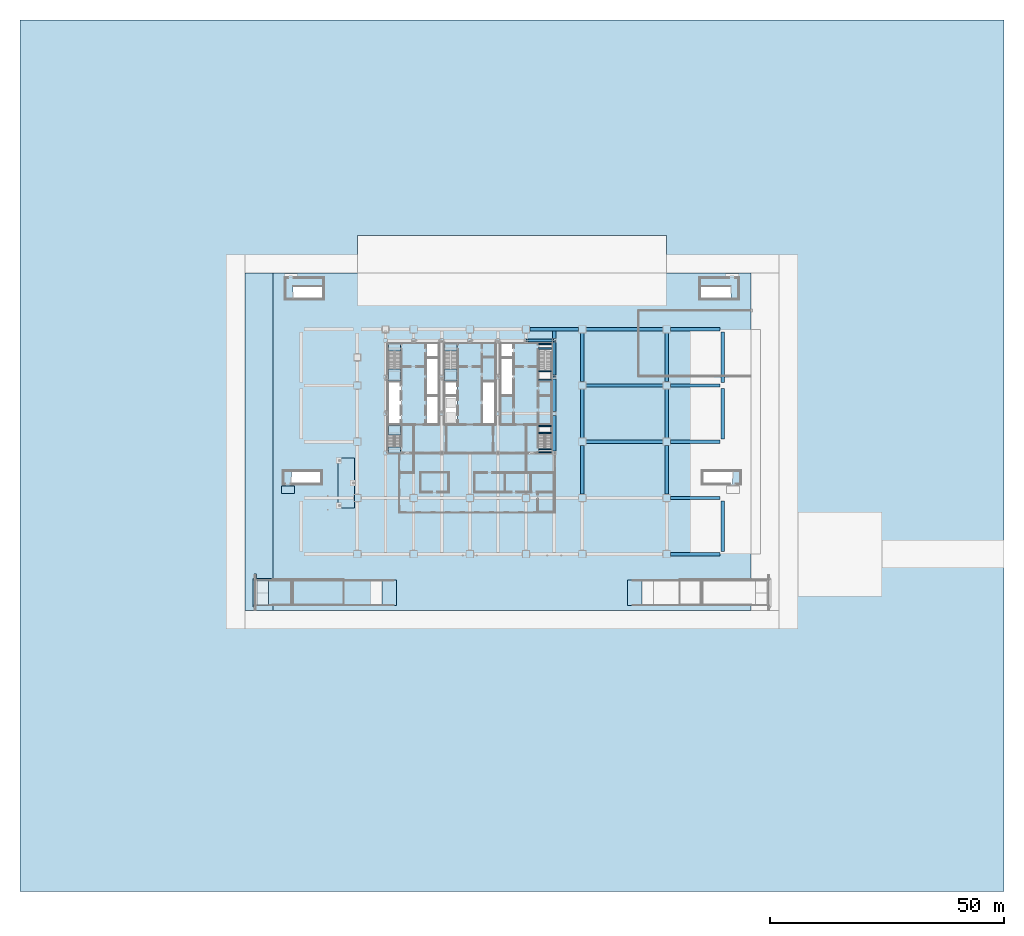
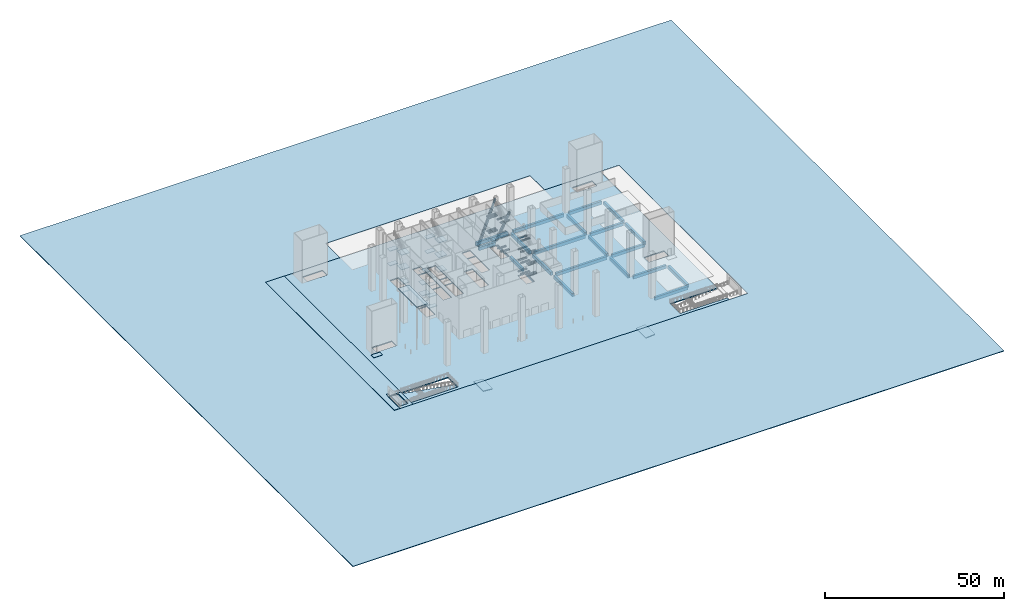
# One storey, part 4 of 22: 47 beams, 27 slabs, 2 members, 5 elements without a shape of their own.
"""IFC4 building model written with IfcOpenShell, lengths in metres."""

from ifc_helpers import new_model, si_unit, direction, frame, origin, origin_2d, place, context, subcontext, project, spatial, polyline, rectangle, hollow_rectangle, outline, extrude, material, layer, layer_set, material_profile, profile_set, type_object, element, aggregate, save


model = new_model("IFC4")

# Units and contexts
model_context = context("Model", 3, precision=1e-05, world=origin(), true_north=direction((0.0, 1.0)))
body_context = subcontext(model_context, "Body", "Model", "MODEL_VIEW")
ifc_project = project(units=[si_unit("LENGTHUNIT", "METRE"), si_unit("AREAUNIT", "SQUARE_METRE"), si_unit("VOLUMEUNIT", "CUBIC_METRE"), si_unit("PLANEANGLEUNIT", "RADIAN"), si_unit("MASSUNIT", "GRAM", prefix="KILO")], contexts=[model_context])

# Site, building, storey
site_placement = place(None, origin())
site = spatial("IfcSite", under=ifc_project, at=site_placement, CompositionType="ELEMENT")
building_placement = place(site_placement, origin())
building = spatial("IfcBuilding", under=site, at=building_placement, Name="Sorahane Residences", CompositionType="ELEMENT")
storey_placement = place(building_placement, origin())
storey = spatial("IfcBuildingStorey", under=building, at=storey_placement, Name="L00", CompositionType="ELEMENT", Elevation=0.0)

# Members
ifc_material_1 = material(Name="Steel Q355B", Category="steel")
ifc_material_profile_1 = material_profile(ifc_material_1, hollow_rectangle(XDim=0.5, YDim=0.5, WallThickness=0.02490234375, InnerFilletRadius=0.012451171875, OuterFilletRadius=0.03759765625, at=origin_2d()), Name="RHS 500x500x25")
ifc_profile_set_1 = profile_set([ifc_material_profile_1], Name="Steel Q355B")
member_type = type_object("IfcMemberType", Name="Core brace RHS 500x500x25 Q355B", PredefinedType="BRACE", material=ifc_profile_set_1)
member_1_placement = place(storey_placement, frame((36.224853515625, 45.60009765625, -0.2080078125), z_axis=(0.357138272486, 0.0, 0.93405152659), x_axis=(0.0, 1.0, 0.0)))
element("IfcMember", 1, at=member_1_placement, inside=storey, type_object=member_type, Name="Core brace L00 y45.6-6", PredefinedType="BRACE", context=body_context, shape_type="SweptSolid", body=[
    extrude(hollow_rectangle(XDim=0.5, YDim=0.5, WallThickness=0.02490234375, InnerFilletRadius=0.012451171875, OuterFilletRadius=0.03759765625, at=origin_2d()), origin(), (0.0, 0.0, 1.0), 15.541015625),
])
member_2_placement = place(storey_placement, frame((42.0, 45.36669921875, -0.073974609375), z_axis=(0.0, -0.457646797242, 0.889134078176), x_axis=(1.0, 0.0, 0.0)))
element("IfcMember", 2, at=member_2_placement, inside=storey, type_object=member_type, Name="Core brace L00 x42-3", PredefinedType="BRACE", context=body_context, shape_type="SweptSolid", body=[
    extrude(hollow_rectangle(XDim=0.5, YDim=0.5, WallThickness=0.02490234375, InnerFilletRadius=0.012451171875, OuterFilletRadius=0.03759765625, at=origin_2d()), origin(), (0.0, 0.0, 1.0), 16.0244140625),
])

# Beams
ifc_material_2 = material(Name="Concrete C40", Category="concrete")
ifc_material_profile_2 = material_profile(ifc_material_2, rectangle(XDim=0.699951171875, YDim=1.10009765625, at=origin_2d()), Name="700x1100")
ifc_profile_set_2 = profile_set([ifc_material_profile_2], Name="Concrete C40")
beam_type_1 = type_object("IfcBeamType", Name="RC beam 700 x 1100 Concrete C40", PredefinedType="BEAM", material=ifc_profile_set_2)
for number, where, z_axis, x_axis, name in (
    (3, (66.800048828125, 0.0, -0.909912109375), (1.0, 0.0, 0.0), (0.0, 1.0, 0.0), "Beam L00 006"),
    (4, (66.800048828125, 12.0, -0.909912109375), (1.0, 0.0, 0.0), (0.0, 1.0, 0.0), "Beam L00 013"),
):
    element("IfcBeam", number, at=place(storey_placement, frame(where, z_axis=z_axis, x_axis=x_axis)), inside=storey, type_object=beam_type_1, Name=name, PredefinedType="BEAM", context=body_context, shape_type="SweptSolid", body=[
        extrude(rectangle(XDim=0.699951171875, YDim=1.10009765625, at=origin_2d()), origin(), (0.0, 0.0, 1.0), 10.599853515625),
    ])
beam_1_placement = place(storey_placement, frame((48.800048828125, 24.0, -0.909912109375), z_axis=(1.0, 0.0, 0.0), x_axis=(0.0, 1.0, 0.0)))
element("IfcBeam", 5, at=beam_1_placement, inside=storey, type_object=beam_type_1, Name="Beam L00 015", PredefinedType="BEAM", context=body_context, shape_type="SweptSolid", body=[
    extrude(rectangle(XDim=0.699951171875, YDim=1.10009765625, at=origin_2d()), origin(), (0.0, 0.0, 1.0), 16.39990234375),
])
beam_2_placement = place(storey_placement, frame((66.800048828125, 24.0, -0.909912109375), z_axis=(1.0, 0.0, 0.0), x_axis=(0.0, 1.0, 0.0)))
element("IfcBeam", 6, at=beam_2_placement, inside=storey, type_object=beam_type_1, Name="Beam L00 016", PredefinedType="BEAM", context=body_context, shape_type="SweptSolid", body=[
    extrude(rectangle(XDim=0.699951171875, YDim=1.10009765625, at=origin_2d()), origin(), (0.0, 0.0, 1.0), 10.599853515625),
])
beam_3_placement = place(storey_placement, frame((48.800048828125, 36.0, -0.909912109375), z_axis=(1.0, 0.0, 0.0), x_axis=(0.0, 1.0, 0.0)))
element("IfcBeam", 7, at=beam_3_placement, inside=storey, type_object=beam_type_1, Name="Beam L00 018", PredefinedType="BEAM", context=body_context, shape_type="SweptSolid", body=[
    extrude(rectangle(XDim=0.699951171875, YDim=1.10009765625, at=origin_2d()), origin(), (0.0, 0.0, 1.0), 16.39990234375),
])
beam_4_placement = place(storey_placement, frame((66.800048828125, 36.0, -0.909912109375), z_axis=(1.0, 0.0, 0.0), x_axis=(0.0, 1.0, 0.0)))
element("IfcBeam", 8, at=beam_4_placement, inside=storey, type_object=beam_type_1, Name="Beam L00 019", PredefinedType="BEAM", context=body_context, shape_type="SweptSolid", body=[
    extrude(rectangle(XDim=0.699951171875, YDim=1.10009765625, at=origin_2d()), origin(), (0.0, 0.0, 1.0), 10.599853515625),
])
beam_5_placement = place(storey_placement, frame((36.800048828125, 48.0, -0.909912109375), z_axis=(1.0, 0.0, 0.0), x_axis=(0.0, 1.0, 0.0)))
element("IfcBeam", 9, at=beam_5_placement, inside=storey, type_object=beam_type_1, Name="Beam L00 024", PredefinedType="BEAM", context=body_context, shape_type="SweptSolid", body=[
    extrude(rectangle(XDim=0.699951171875, YDim=1.10009765625, at=origin_2d()), origin(), (0.0, 0.0, 1.0), 10.39990234375),
])
beam_6_placement = place(storey_placement, frame((48.800048828125, 48.0, -0.909912109375), z_axis=(1.0, 0.0, 0.0), x_axis=(0.0, 1.0, 0.0)))
element("IfcBeam", 10, at=beam_6_placement, inside=storey, type_object=beam_type_1, Name="Beam L00 025", PredefinedType="BEAM", context=body_context, shape_type="SweptSolid", body=[
    extrude(rectangle(XDim=0.699951171875, YDim=1.10009765625, at=origin_2d()), origin(), (0.0, 0.0, 1.0), 16.39990234375),
])
beam_7_placement = place(storey_placement, frame((66.800048828125, 48.0, -0.909912109375), z_axis=(1.0, 0.0, 0.0), x_axis=(0.0, 1.0, 0.0)))
element("IfcBeam", 11, at=beam_7_placement, inside=storey, type_object=beam_type_1, Name="Beam L00 026", PredefinedType="BEAM", context=body_context, shape_type="SweptSolid", body=[
    extrude(rectangle(XDim=0.699951171875, YDim=1.10009765625, at=origin_2d()), origin(), (0.0, 0.0, 1.0), 10.599853515625),
])
beam_8_placement = place(storey_placement, frame((36.39990234375, 45.60009765625, -0.909912109375), z_axis=(1.0, 0.0, 0.0), x_axis=(0.0, 1.0, 0.0)))
element("IfcBeam", 12, at=beam_8_placement, inside=storey, type_object=beam_type_1, Name="Beam L00 036", PredefinedType="BEAM", context=body_context, shape_type="SweptSolid", body=[
    extrude(rectangle(XDim=0.699951171875, YDim=1.10009765625, at=origin_2d()), origin(), (0.0, 0.0, 1.0), 5.2001953125),
])
for number, where, z_axis, x_axis, name in (
    (13, (48.0, 12.800048828125, -0.909912109375), (0.0, 1.0, 0.0), (-1.0, 0.0, 0.0), "Beam L00 054"),
    (14, (48.0, 24.800048828125, -0.909912109375), (0.0, 1.0, 0.0), (-1.0, 0.0, 0.0), "Beam L00 055"),
    (15, (48.0, 36.800048828125, -0.909912109375), (0.0, 1.0, 0.0), (-1.0, 0.0, 0.0), "Beam L00 056"),
    (16, (66.0, 12.800048828125, -0.909912109375), (0.0, 1.0, 0.0), (-1.0, 0.0, 0.0), "Beam L00 058"),
    (17, (66.0, 24.800048828125, -0.909912109375), (0.0, 1.0, 0.0), (-1.0, 0.0, 0.0), "Beam L00 059"),
    (18, (66.0, 36.800048828125, -0.909912109375), (0.0, 1.0, 0.0), (-1.0, 0.0, 0.0), "Beam L00 060"),
):
    element("IfcBeam", number, at=place(storey_placement, frame(where, z_axis=z_axis, x_axis=x_axis)), inside=storey, type_object=beam_type_1, Name=name, PredefinedType="BEAM", context=body_context, shape_type="SweptSolid", body=[
        extrude(rectangle(XDim=0.699951171875, YDim=1.10009765625, at=origin_2d()), origin(), (0.0, 0.0, 1.0), 10.39990234375),
    ])
for number, where, z_axis, x_axis, name in (
    (19, (78.0, 0.60009765625, -0.909912109375), (0.0, 1.0, 0.0), (-1.0, 0.0, 0.0), "Beam L00 061"),
    (20, (78.0, 24.60009765625, -0.909912109375), (0.0, 1.0, 0.0), (-1.0, 0.0, 0.0), "Beam L00 062"),
    (21, (78.0, 36.60009765625, -0.909912109375), (0.0, 1.0, 0.0), (-1.0, 0.0, 0.0), "Beam L00 063"),
):
    element("IfcBeam", number, at=place(storey_placement, frame(where, z_axis=z_axis, x_axis=x_axis)), inside=storey, type_object=beam_type_1, Name=name, PredefinedType="BEAM", context=body_context, shape_type="SweptSolid", body=[
        extrude(rectangle(XDim=0.699951171875, YDim=1.10009765625, at=origin_2d()), origin(), (0.0, 0.0, 1.0), 10.7998046875),
    ])
beam_9_placement = place(storey_placement, frame((42.0, 22.0, -0.909912109375), z_axis=(0.0, 1.0, 0.0), x_axis=(-1.0, 0.0, 0.0)))
element("IfcBeam", 22, at=beam_9_placement, inside=storey, type_object=beam_type_1, Name="Beam L00 084", PredefinedType="BEAM", context=body_context, shape_type="SweptSolid", body=[
    extrude(rectangle(XDim=0.699951171875, YDim=1.10009765625, at=origin_2d()), origin(), (0.0, 0.0, 1.0), 7.60009765625),
])
for number, where, z_axis, x_axis, name in (
    (23, (42.0, 30.39990234375, -0.909912109375), (0.0, 1.0, 0.0), (-1.0, 0.0, 0.0), "Beam L00 085"),
    (24, (42.0, 38.199951171875, -0.909912109375), (0.0, 1.0, 0.0), (-1.0, 0.0, 0.0), "Beam L00 086"),
):
    element("IfcBeam", number, at=place(storey_placement, frame(where, z_axis=z_axis, x_axis=x_axis)), inside=storey, type_object=beam_type_1, Name=name, PredefinedType="BEAM", context=body_context, shape_type="SweptSolid", body=[
        extrude(rectangle(XDim=0.699951171875, YDim=1.10009765625, at=origin_2d()), origin(), (0.0, 0.0, 1.0), 7.0),
    ])
beam_10_placement = place(storey_placement, frame((42.0, 46.0, -0.909912109375), z_axis=(0.0, 1.0, 0.0), x_axis=(-1.0, 0.0, 0.0)))
element("IfcBeam", 25, at=beam_10_placement, inside=storey, type_object=beam_type_1, Name="Beam L00 087", PredefinedType="BEAM", context=body_context, shape_type="SweptSolid", body=[
    extrude(rectangle(XDim=0.699951171875, YDim=1.10009765625, at=origin_2d()), origin(), (0.0, 0.0, 1.0), 1.64990234375),
])
ifc_material_3 = material(Name="Concrete C40", Category="concrete")
ifc_material_profile_3 = material_profile(ifc_material_3, rectangle(XDim=0.300048828125, YDim=0.139892578125, at=origin_2d()), Name="300x140")
ifc_profile_set_3 = profile_set([ifc_material_profile_3], Name="Concrete C40")
beam_type_2 = type_object("IfcBeamType", Name="RC landing beam 300 x 140 Concrete C40", PredefinedType="BEAM", material=ifc_profile_set_3)
for number, where, z_axis, x_axis, name in (
    (26, (38.699951171875, 37.14990234375, 2.22998046875), (1.0, 0.0, 0.0), (0.0, 1.0, 0.0), "Landing beam"),
    (27, (38.699951171875, 39.030029296875, 2.22998046875), (1.0, 0.0, 0.0), (0.0, 1.0, 0.0), "Landing beam"),
    (28, (38.699951171875, 43.85009765625, 4.72998046875), (1.0, 0.0, 0.0), (0.0, 1.0, 0.0), "Landing beam"),
    (29, (38.699951171875, 44.85009765625, 4.72998046875), (1.0, 0.0, 0.0), (0.0, 1.0, 0.0), "Landing beam"),
    (30, (38.699951171875, 37.14990234375, 7.22998046875), (1.0, 0.0, 0.0), (0.0, 1.0, 0.0), "Landing beam"),
    (31, (38.699951171875, 39.030029296875, 7.22998046875), (1.0, 0.0, 0.0), (0.0, 1.0, 0.0), "Landing beam"),
    (32, (38.699951171875, 43.85009765625, 9.72998046875), (1.0, 0.0, 0.0), (0.0, 1.0, 0.0), "Landing beam"),
    (33, (38.699951171875, 44.85009765625, 9.72998046875), (1.0, 0.0, 0.0), (0.0, 1.0, 0.0), "Landing beam"),
    (34, (38.699951171875, 37.14990234375, 12.22998046875), (1.0, 0.0, 0.0), (0.0, 1.0, 0.0), "Landing beam"),
    (35, (38.699951171875, 39.030029296875, 12.22998046875), (1.0, 0.0, 0.0), (0.0, 1.0, 0.0), "Landing beam"),
    (36, (38.699951171875, 25.89990234375, 1.60498046875), (1.0, 0.0, 0.0), (0.0, 1.0, 0.0), "Landing beam"),
    (37, (38.699951171875, 27.35009765625, 1.60498046875), (1.0, 0.0, 0.0), (0.0, 1.0, 0.0), "Landing beam"),
    (38, (38.699951171875, 21.75, 3.47998046875), (1.0, 0.0, 0.0), (0.0, 1.0, 0.0), "Landing beam"),
    (39, (38.699951171875, 22.39990234375, 3.47998046875), (1.0, 0.0, 0.0), (0.0, 1.0, 0.0), "Landing beam"),
    (40, (38.699951171875, 25.89990234375, 5.35498046875), (1.0, 0.0, 0.0), (0.0, 1.0, 0.0), "Landing beam"),
    (41, (38.699951171875, 27.35009765625, 5.35498046875), (1.0, 0.0, 0.0), (0.0, 1.0, 0.0), "Landing beam"),
    (42, (38.699951171875, 21.75, 7.22998046875), (1.0, 0.0, 0.0), (0.0, 1.0, 0.0), "Landing beam"),
    (43, (38.699951171875, 22.39990234375, 7.22998046875), (1.0, 0.0, 0.0), (0.0, 1.0, 0.0), "Landing beam"),
    (44, (38.699951171875, 25.89990234375, 9.10498046875), (1.0, 0.0, 0.0), (0.0, 1.0, 0.0), "Landing beam"),
    (45, (38.699951171875, 27.35009765625, 9.10498046875), (1.0, 0.0, 0.0), (0.0, 1.0, 0.0), "Landing beam"),
    (46, (38.699951171875, 21.75, 10.97998046875), (1.0, 0.0, 0.0), (0.0, 1.0, 0.0), "Landing beam"),
    (47, (38.699951171875, 22.39990234375, 10.97998046875), (1.0, 0.0, 0.0), (0.0, 1.0, 0.0), "Landing beam"),
    (48, (38.699951171875, 25.89990234375, 12.85498046875), (1.0, 0.0, 0.0), (0.0, 1.0, 0.0), "Landing beam"),
    (49, (38.699951171875, 27.35009765625, 12.85498046875), (1.0, 0.0, 0.0), (0.0, 1.0, 0.0), "Landing beam"),
):
    element("IfcBeam", number, at=place(storey_placement, frame(where, z_axis=z_axis, x_axis=x_axis)), inside=storey, type_object=beam_type_2, Name=name, PredefinedType="BEAM", context=body_context, shape_type="SweptSolid", body=[
        extrude(rectangle(XDim=0.300048828125, YDim=0.139892578125, at=origin_2d()), origin(), (0.0, 0.0, 1.0), 2.699951171875),
    ])

# Slabs
ifc_material_4 = material(Name="Concrete C40", Category="concrete")
ifc_layer_1 = layer(ifc_material_4, 0.25)
ifc_layer_set_1 = layer_set([ifc_layer_1], Name="Entrance canopy slab Concrete C40 250")
slab_type_1 = type_object("IfcSlabType", Name="Entrance canopy slab Concrete C40 250", PredefinedType="ROOF", material=ifc_layer_set_1)
slab_1_placement = place(storey_placement, frame((0.0, 0.0, 14.699951171875)))
element("IfcSlab", 50, at=slab_1_placement, inside=storey, type_object=slab_type_1, Name="Entrance canopy 1", PredefinedType="ROOF", context=body_context, shape_type="SweptSolid", body=[
    extrude(outline(polyline([(-4.10009765625, 9.89990234375), (-0.60009765625, 9.89990234375), (-0.60009765625, 20.5), (-4.10009765625, 20.5), (-4.10009765625, 9.89990234375)])), origin(), (0.0, 0.0, 1.0), 0.25),
])
ifc_material_5 = material(Name="Granite paving", Category="masonry")
ifc_layer_2 = layer(ifc_material_5, 0.06005859375)
ifc_layer_set_2 = layer_set([ifc_layer_2], Name="Granite paving 60 on screed")
slab_type_2 = type_object("IfcSlabType", Name="Granite paving 60 on screed", PredefinedType="USERDEFINED", material=ifc_layer_set_2)
slab_2_placement = place(storey_placement, origin())
element("IfcSlab", 51, at=slab_2_placement, inside=storey, type_object=slab_type_2, Name="Paving at Basement stair BS3 exit", ObjectType="PAVING", PredefinedType="USERDEFINED", context=body_context, shape_type="SweptSolid", body=[
    extrude(outline(polyline([(-16.199951171875, 13.0), (-13.39990234375, 13.0), (-13.39990234375, 14.550048828125), (-16.199951171875, 14.550048828125), (-16.199951171875, 13.0)])), origin(), (0.0, 0.0, 1.0), 0.06005859375),
])
slab_3_placement = place(storey_placement, origin())
element("IfcSlab", 52, at=slab_3_placement, inside=storey, type_object=slab_type_2, Name="Plaza paving 1", ObjectType="PAVING", PredefinedType="USERDEFINED", context=body_context, shape_type="SweptSolid", body=[
    extrude(outline(polyline([(-18.0, 60.0), (-18.0, -5.199951171875), (-21.5, -5.199951171875), (-21.5, -4.199951171875), (-22.10009765625, -4.199951171875), (-22.10009765625, -5.199951171875), (-22.300048828125, -5.199951171875), (-22.300048828125, -11.300048828125), (-22.10009765625, -11.300048828125), (-22.10009765625, -12.0), (-24.0, -12.0), (-24.0, 60.0), (-18.0, 60.0)])), origin(), (0.0, 0.0, 1.0), 0.06005859375),
])
ifc_material_6 = material(Name="Concrete C40", Category="concrete")
ifc_layer_3 = layer(ifc_material_6, 0.360107421875)
ifc_layer_set_3 = layer_set([ifc_layer_3], Name="Reinforced concrete floor slab 360 mm Concrete C40")
slab_type_3 = type_object("IfcSlabType", Name="Reinforced concrete floor slab 360 mm Concrete C40", PredefinedType="FLOOR", material=ifc_layer_set_3)
slab_4_placement = place(storey_placement, frame((0.0, 0.0, -0.360107421875)))
element("IfcSlab", 53, at=slab_4_placement, inside=storey, type_object=slab_type_3, Name="Slab L00", PredefinedType="FLOOR", context=body_context, shape_type="SweptSolid", body=[
    extrude(outline(polyline([(84.0, -12.0), (-18.0, -12.0), (-18.0, -11.0), (-2.89990234375, -11.0), (-2.89990234375, -5.5), (-18.0, -5.5), (-18.0, 60.0), (84.0, 60.0), (84.0, -5.5), (68.800048828125, -5.5), (68.800048828125, -11.0), (84.0, -11.0), (84.0, -12.0)]), holes=[polyline([(18.60009765625, 27.699951171875), (21.300048828125, 27.699951171875), (21.300048828125, 33.699951171875), (18.60009765625, 33.699951171875), (18.60009765625, 27.699951171875)]), polyline([(30.60009765625, 42.0), (33.300048828125, 42.0), (33.300048828125, 45.0), (30.60009765625, 45.0), (30.60009765625, 42.0)]), polyline([(14.699951171875, 27.699951171875), (17.39990234375, 27.699951171875), (17.39990234375, 33.699951171875), (14.699951171875, 33.699951171875), (14.699951171875, 27.699951171875)]), polyline([(14.699951171875, 42.0), (17.39990234375, 42.0), (17.39990234375, 45.0), (14.699951171875, 45.0), (14.699951171875, 42.0)]), polyline([(6.60009765625, 27.699951171875), (9.300048828125, 27.699951171875), (9.300048828125, 36.800048828125), (6.60009765625, 36.800048828125), (6.60009765625, 27.699951171875)]), polyline([(6.60009765625, 43.39990234375), (6.60009765625, 37.0), (9.25, 37.0), (9.25, 43.39990234375), (6.60009765625, 43.39990234375)]), polyline([(38.75, 43.39990234375), (38.75, 37.0), (41.39990234375, 37.0), (41.39990234375, 43.39990234375), (38.75, 43.39990234375)]), polyline([(18.60009765625, 43.39990234375), (18.60009765625, 37.0), (21.25, 37.0), (21.25, 43.39990234375), (18.60009765625, 43.39990234375)]), polyline([(9.25, 22.85009765625), (9.25, 27.5), (6.60009765625, 27.5), (6.60009765625, 22.85009765625), (9.25, 22.85009765625)]), polyline([(41.39990234375, 22.85009765625), (41.39990234375, 27.5), (38.75, 27.5), (38.75, 22.85009765625), (41.39990234375, 22.85009765625)]), polyline([(14.699951171875, 33.89990234375), (17.39990234375, 33.89990234375), (17.39990234375, 41.800048828125), (14.699951171875, 41.800048828125), (14.699951171875, 33.89990234375)]), polyline([(30.60009765625, 33.89990234375), (33.300048828125, 33.89990234375), (33.300048828125, 41.800048828125), (30.60009765625, 41.800048828125), (30.60009765625, 33.89990234375)]), polyline([(18.60009765625, 33.89990234375), (21.300048828125, 33.89990234375), (21.300048828125, 36.800048828125), (18.60009765625, 36.800048828125), (18.60009765625, 33.89990234375)]), polyline([(26.699951171875, 27.699951171875), (29.39990234375, 27.699951171875), (29.39990234375, 36.800048828125), (26.699951171875, 36.800048828125), (26.699951171875, 27.699951171875)]), polyline([(-13.699951171875, 54.5), (-7.300048828125, 54.5), (-7.300048828125, 57.14990234375), (-13.699951171875, 57.14990234375), (-13.699951171875, 54.5)]), polyline([(79.699951171875, 57.14990234375), (73.300048828125, 57.14990234375), (73.300048828125, 54.5), (79.699951171875, 54.5), (79.699951171875, 57.14990234375)]), polyline([(-14.10009765625, 15.0), (-7.699951171875, 15.0), (-7.699951171875, 17.64990234375), (-14.10009765625, 17.64990234375), (-14.10009765625, 15.0)]), polyline([(80.10009765625, 17.64990234375), (73.699951171875, 17.64990234375), (73.699951171875, 15.0), (80.10009765625, 15.0), (80.10009765625, 17.64990234375)])]), origin(), (0.0, 0.0, 1.0), 0.360107421875),
])
slab_5_placement = place(storey_placement, frame((0.0, 0.0, -0.360107421875)))
element("IfcSlab", 54, at=slab_5_placement, inside=storey, type_object=slab_type_3, Name="Slab L00/plaza1", PredefinedType="FLOOR", context=body_context, shape_type="SweptSolid", body=[
    extrude(outline(polyline([(-24.0, 60.0), (-18.0, 60.0), (-18.0, -12.0), (-24.0, -12.0), (-24.0, 60.0)]), holes=[polyline([(-19.0, -11.0), (-19.0, -5.5), (-22.0, -5.5), (-22.0, -11.0), (-19.0, -11.0)])]), origin(), (0.0, 0.0, 1.0), 0.360107421875),
])

# Stair, slabs
ifc_material_7 = material(Name="Concrete C40", Category="concrete")
stair_type = type_object("IfcStairType", Name="Dog-leg stair 1250 Concrete C40", PredefinedType="HALF_TURN_STAIR", material=ifc_material_7)
stair_1_placement = place(storey_placement, origin())
stair_1 = element("IfcStair", 55, at=stair_1_placement, inside=storey, type_object=stair_type, Name="L00 Stair S1", PredefinedType="HALF_TURN_STAIR")
ifc_material_8 = material(Name="Concrete C40", Category="concrete")
ifc_layer_4 = layer(ifc_material_8, 0.199951171875)
ifc_layer_set_4 = layer_set([ifc_layer_4], Name="Stair landing 200 Concrete C40")
slab_type_4 = type_object("IfcSlabType", Name="Stair landing 200 Concrete C40", PredefinedType="LANDING", material=ifc_layer_set_4)
slab_6_placement = place(storey_placement, frame((0.0, 0.0, 2.300048828125)))
slab_6 = element("IfcSlab", 56, at=slab_6_placement, type_object=slab_type_4, Name="S1 landing 1", PredefinedType="LANDING", context=body_context, shape_type="SweptSolid", body=[
    extrude(outline(polyline([(6.60009765625, 39.47998046875), (6.60009765625, 37.0), (9.25, 37.0), (9.25, 39.47998046875), (6.60009765625, 39.47998046875)])), origin(), (0.0, 0.0, 1.0), 0.199951171875),
])
slab_7_placement = place(storey_placement, frame((0.0, 0.0, 4.800048828125)))
slab_7 = element("IfcSlab", 57, at=slab_7_placement, type_object=slab_type_4, Name="S1 landing 2", PredefinedType="LANDING", context=body_context, shape_type="SweptSolid", body=[
    extrude(outline(polyline([(6.60009765625, 45.0), (6.60009765625, 43.39990234375), (9.25, 43.39990234375), (9.25, 45.0), (6.60009765625, 45.0)])), origin(), (0.0, 0.0, 1.0), 0.199951171875),
])
slab_8_placement = place(storey_placement, frame((0.0, 0.0, 7.300048828125)))
slab_8 = element("IfcSlab", 58, at=slab_8_placement, type_object=slab_type_4, Name="S1 landing 3", PredefinedType="LANDING", context=body_context, shape_type="SweptSolid", body=[
    extrude(outline(polyline([(6.60009765625, 39.47998046875), (6.60009765625, 37.0), (9.25, 37.0), (9.25, 39.47998046875), (6.60009765625, 39.47998046875)])), origin(), (0.0, 0.0, 1.0), 0.199951171875),
])
slab_9_placement = place(storey_placement, frame((0.0, 0.0, 9.800048828125)))
slab_9 = element("IfcSlab", 59, at=slab_9_placement, type_object=slab_type_4, Name="S1 landing 4", PredefinedType="LANDING", context=body_context, shape_type="SweptSolid", body=[
    extrude(outline(polyline([(6.60009765625, 45.0), (6.60009765625, 43.39990234375), (9.25, 43.39990234375), (9.25, 45.0), (6.60009765625, 45.0)])), origin(), (0.0, 0.0, 1.0), 0.199951171875),
])
slab_10_placement = place(storey_placement, frame((0.0, 0.0, 12.300048828125)))
slab_10 = element("IfcSlab", 60, at=slab_10_placement, type_object=slab_type_4, Name="S1 landing 5", PredefinedType="LANDING", context=body_context, shape_type="SweptSolid", body=[
    extrude(outline(polyline([(6.60009765625, 39.47998046875), (6.60009765625, 37.0), (9.25, 37.0), (9.25, 39.47998046875), (6.60009765625, 39.47998046875)])), origin(), (0.0, 0.0, 1.0), 0.199951171875),
])
aggregate(stair_1, [slab_6, slab_7, slab_8, slab_9, slab_10])

stair_2_placement = place(storey_placement, origin())
stair_2 = element("IfcStair", 61, at=stair_2_placement, inside=storey, type_object=stair_type, Name="L00 Stair S3", PredefinedType="HALF_TURN_STAIR")
slab_11_placement = place(storey_placement, frame((0.0, 0.0, 2.300048828125)))
slab_11 = element("IfcSlab", 62, at=slab_11_placement, type_object=slab_type_4, Name="S3 landing 1", PredefinedType="LANDING", context=body_context, shape_type="SweptSolid", body=[
    extrude(outline(polyline([(18.60009765625, 39.47998046875), (18.60009765625, 37.0), (21.25, 37.0), (21.25, 39.47998046875), (18.60009765625, 39.47998046875)])), origin(), (0.0, 0.0, 1.0), 0.199951171875),
])
slab_12_placement = place(storey_placement, frame((0.0, 0.0, 4.800048828125)))
slab_12 = element("IfcSlab", 63, at=slab_12_placement, type_object=slab_type_4, Name="S3 landing 2", PredefinedType="LANDING", context=body_context, shape_type="SweptSolid", body=[
    extrude(outline(polyline([(18.60009765625, 45.0), (18.60009765625, 43.39990234375), (21.25, 43.39990234375), (21.25, 45.0), (18.60009765625, 45.0)])), origin(), (0.0, 0.0, 1.0), 0.199951171875),
])
slab_13_placement = place(storey_placement, frame((0.0, 0.0, 7.300048828125)))
slab_13 = element("IfcSlab", 64, at=slab_13_placement, type_object=slab_type_4, Name="S3 landing 3", PredefinedType="LANDING", context=body_context, shape_type="SweptSolid", body=[
    extrude(outline(polyline([(18.60009765625, 39.47998046875), (18.60009765625, 37.0), (21.25, 37.0), (21.25, 39.47998046875), (18.60009765625, 39.47998046875)])), origin(), (0.0, 0.0, 1.0), 0.199951171875),
])
slab_14_placement = place(storey_placement, frame((0.0, 0.0, 9.800048828125)))
slab_14 = element("IfcSlab", 65, at=slab_14_placement, type_object=slab_type_4, Name="S3 landing 4", PredefinedType="LANDING", context=body_context, shape_type="SweptSolid", body=[
    extrude(outline(polyline([(18.60009765625, 45.0), (18.60009765625, 43.39990234375), (21.25, 43.39990234375), (21.25, 45.0), (18.60009765625, 45.0)])), origin(), (0.0, 0.0, 1.0), 0.199951171875),
])
slab_15_placement = place(storey_placement, frame((0.0, 0.0, 12.300048828125)))
slab_15 = element("IfcSlab", 66, at=slab_15_placement, type_object=slab_type_4, Name="S3 landing 5", PredefinedType="LANDING", context=body_context, shape_type="SweptSolid", body=[
    extrude(outline(polyline([(18.60009765625, 39.47998046875), (18.60009765625, 37.0), (21.25, 37.0), (21.25, 39.47998046875), (18.60009765625, 39.47998046875)])), origin(), (0.0, 0.0, 1.0), 0.199951171875),
])
aggregate(stair_2, [slab_11, slab_12, slab_13, slab_14, slab_15])

stair_3_placement = place(storey_placement, origin())
stair_3 = element("IfcStair", 67, at=stair_3_placement, inside=storey, type_object=stair_type, Name="L00 Stair S4", PredefinedType="HALF_TURN_STAIR")
slab_16_placement = place(storey_placement, frame((0.0, 0.0, 1.675048828125)))
slab_16 = element("IfcSlab", 68, at=slab_16_placement, type_object=slab_type_4, Name="S4 landing 1", PredefinedType="LANDING", context=body_context, shape_type="SweptSolid", body=[
    extrude(outline(polyline([(9.25, 25.449951171875), (9.25, 27.5), (6.60009765625, 27.5), (6.60009765625, 25.449951171875), (9.25, 25.449951171875)])), origin(), (0.0, 0.0, 1.0), 0.199951171875),
])
slab_17_placement = place(storey_placement, frame((0.0, 0.0, 3.550048828125)))
slab_17 = element("IfcSlab", 69, at=slab_17_placement, type_object=slab_type_4, Name="S4 landing 2", PredefinedType="LANDING", context=body_context, shape_type="SweptSolid", body=[
    extrude(outline(polyline([(9.25, 21.60009765625), (9.25, 22.85009765625), (6.60009765625, 22.85009765625), (6.60009765625, 21.60009765625), (9.25, 21.60009765625)])), origin(), (0.0, 0.0, 1.0), 0.199951171875),
])
slab_18_placement = place(storey_placement, frame((0.0, 0.0, 5.425048828125)))
slab_18 = element("IfcSlab", 70, at=slab_18_placement, type_object=slab_type_4, Name="S4 landing 3", PredefinedType="LANDING", context=body_context, shape_type="SweptSolid", body=[
    extrude(outline(polyline([(9.25, 25.449951171875), (9.25, 27.5), (6.60009765625, 27.5), (6.60009765625, 25.449951171875), (9.25, 25.449951171875)])), origin(), (0.0, 0.0, 1.0), 0.199951171875),
])
slab_19_placement = place(storey_placement, frame((0.0, 0.0, 7.300048828125)))
slab_19 = element("IfcSlab", 71, at=slab_19_placement, type_object=slab_type_4, Name="S4 landing 4", PredefinedType="LANDING", context=body_context, shape_type="SweptSolid", body=[
    extrude(outline(polyline([(9.25, 21.60009765625), (9.25, 22.85009765625), (6.60009765625, 22.85009765625), (6.60009765625, 21.60009765625), (9.25, 21.60009765625)])), origin(), (0.0, 0.0, 1.0), 0.199951171875),
])
slab_20_placement = place(storey_placement, frame((0.0, 0.0, 9.175048828125)))
slab_20 = element("IfcSlab", 72, at=slab_20_placement, type_object=slab_type_4, Name="S4 landing 5", PredefinedType="LANDING", context=body_context, shape_type="SweptSolid", body=[
    extrude(outline(polyline([(9.25, 25.449951171875), (9.25, 27.5), (6.60009765625, 27.5), (6.60009765625, 25.449951171875), (9.25, 25.449951171875)])), origin(), (0.0, 0.0, 1.0), 0.199951171875),
])
slab_21_placement = place(storey_placement, frame((0.0, 0.0, 11.050048828125)))
slab_21 = element("IfcSlab", 73, at=slab_21_placement, type_object=slab_type_4, Name="S4 landing 6", PredefinedType="LANDING", context=body_context, shape_type="SweptSolid", body=[
    extrude(outline(polyline([(9.25, 21.60009765625), (9.25, 22.85009765625), (6.60009765625, 22.85009765625), (6.60009765625, 21.60009765625), (9.25, 21.60009765625)])), origin(), (0.0, 0.0, 1.0), 0.199951171875),
])
slab_22_placement = place(storey_placement, frame((0.0, 0.0, 12.925048828125)))
slab_22 = element("IfcSlab", 74, at=slab_22_placement, type_object=slab_type_4, Name="S4 landing 7", PredefinedType="LANDING", context=body_context, shape_type="SweptSolid", body=[
    extrude(outline(polyline([(9.25, 25.449951171875), (9.25, 27.5), (6.60009765625, 27.5), (6.60009765625, 25.449951171875), (9.25, 25.449951171875)])), origin(), (0.0, 0.0, 1.0), 0.199951171875),
])
aggregate(stair_3, [slab_16, slab_17, slab_18, slab_19, slab_20, slab_21, slab_22])

# Slab
ifc_material_9 = material(Name="Concrete C35", Category="concrete")
ifc_layer_5 = layer(ifc_material_9, 0.199951171875)
ifc_layer_set_5 = layer_set([ifc_layer_5], Name="Street paving slab Concrete C35 200")
slab_type_5 = type_object("IfcSlabType", Name="Street paving slab Concrete C35 200", PredefinedType="USERDEFINED", material=ifc_layer_set_5)
slab_23_placement = place(storey_placement, frame((0.0, 0.0, -0.199951171875)))
element("IfcSlab", 75, at=slab_23_placement, inside=storey, type_object=slab_type_5, Name="Street paving 1", ObjectType="PAVING", PredefinedType="USERDEFINED", context=body_context, shape_type="SweptSolid", body=[
    extrude(outline(polyline([(-72.0, 114.0), (138.0, 114.0), (138.0, -72.0), (-72.0, -72.0), (-72.0, 114.0)]), holes=[polyline([(84.0, 60.0), (66.0, 60.0), (66.0, 68.0), (0.0, 68.0), (0.0, 60.0), (-18.0, 60.0), (-24.0, 60.0), (-24.0, -12.0), (-22.10009765625, -12.0), (88.10009765625, -12.0), (90.0, -12.0), (90.0, 60.0), (84.0, 60.0)])]), origin(), (0.0, 0.0, 1.0), 0.199951171875),
])

# Ramp, slabs
ifc_material_10 = material(Name="Concrete C40", Category="concrete")
ifc_layer_6 = layer(ifc_material_10, 0.300048828125)
ifc_layer_set_6 = layer_set([ifc_layer_6], Name="Vehicle ramp 300 Concrete C40")
ramp_type = type_object("IfcRampType", Name="Vehicle ramp 300 Concrete C40", PredefinedType="STRAIGHT_RUN_RAMP", material=ifc_layer_set_6)
ramp_1_placement = place(storey_placement, origin())
ramp_1 = element("IfcRamp", 76, at=ramp_1_placement, inside=storey, type_object=ramp_type, Name="Vehicle ramp W L00 to B1", PredefinedType="STRAIGHT_RUN_RAMP")
ifc_material_11 = material(Name="Concrete C40", Category="concrete")
ifc_layer_7 = layer(ifc_material_11, 0.300048828125)
ifc_layer_set_7 = layer_set([ifc_layer_7], Name="Vehicle ramp slab 300 Concrete C40")
slab_type_6 = type_object("IfcSlabType", Name="Vehicle ramp slab 300 Concrete C40", PredefinedType="USERDEFINED", material=ifc_layer_set_7)
slab_24_placement = place(storey_placement, frame((-21.39990234375, -11.0, 0.0), z_axis=(0.083028700011, 0.0, 0.996547156423), x_axis=(0.996547156423, 0.0, -0.083028700011)))
slab_24 = element("IfcSlab", 77, at=slab_24_placement, type_object=slab_type_6, Name="Ramp slab W L00 1", ObjectType="RAMP", PredefinedType="USERDEFINED", context=body_context, shape_type="SweptSolid", body=[
    extrude(outline(polyline([(0.0, 0.0), (2.408217542223071, 0.0), (2.408217542223071, 5.5), (0.0, 5.5), (0.0, 0.0)])), origin(), (0.0, 0.0, -1.0), 0.300048828125),
])
slab_25_placement = place(storey_placement, frame((-19.0, -11.0, -0.199951171875), z_axis=(0.164400594367, 0.0, 0.986393655987), x_axis=(0.986393655987, 0.0, -0.164400594367)))
slab_25 = element("IfcSlab", 78, at=slab_25_placement, type_object=slab_type_6, Name="Ramp slab W L00 2", ObjectType="RAMP", PredefinedType="USERDEFINED", context=body_context, shape_type="SweptSolid", body=[
    extrude(outline(polyline([(0.0, 0.0), (24.6352444388006, 0.0), (24.6352444388006, 5.499999999999999), (0.0, 5.499999999999999), (0.0, 0.0)])), origin(), (0.0, 0.0, -1.0), 0.300048828125),
])
slab_26_placement = place(storey_placement, frame((5.300048828125, -11.0, -4.25), z_axis=(0.083045479854, 0.0, 0.996545758245), x_axis=(0.996545758245, 0.0, -0.083045479854)))
slab_26 = element("IfcSlab", 79, at=slab_26_placement, type_object=slab_type_6, Name="Ramp slab W L00 3", ObjectType="RAMP", PredefinedType="USERDEFINED", context=body_context, shape_type="SweptSolid", body=[
    extrude(outline(polyline([(0.0, 0.0), (3.010398644698074, 0.0), (3.010398644698074, 5.5), (0.0, 5.5), (0.0, 0.0)])), origin(), (0.0, 0.0, -1.0), 0.300048828125),
])
aggregate(ramp_1, [slab_24, slab_25, slab_26])

# Ramp, slab
ramp_2_placement = place(storey_placement, origin())
ramp_2 = element("IfcRamp", 80, at=ramp_2_placement, inside=storey, type_object=ramp_type, Name="Vehicle ramp E L00 to B1", PredefinedType="STRAIGHT_RUN_RAMP")
slab_27_placement = place(storey_placement, frame((60.699951171875, -11.0, -4.25), z_axis=(-0.083045479854, 0.0, 0.996545758245), x_axis=(-0.996545758245, 0.0, -0.083045479854)))
slab_27 = element("IfcSlab", 81, at=slab_27_placement, type_object=slab_type_6, Name="Ramp slab E L00 3", ObjectType="RAMP", PredefinedType="USERDEFINED", context=body_context, shape_type="SweptSolid", body=[
    extrude(outline(polyline([(0.0, 0.0), (3.010398644698074, 0.0), (3.010398644698074, -5.5), (0.0, -5.5), (0.0, 0.0)])), origin(), (0.0, 0.0, -1.0), 0.300048828125),
])
aggregate(ramp_2, [slab_27])

save(model, "model.ifc")
